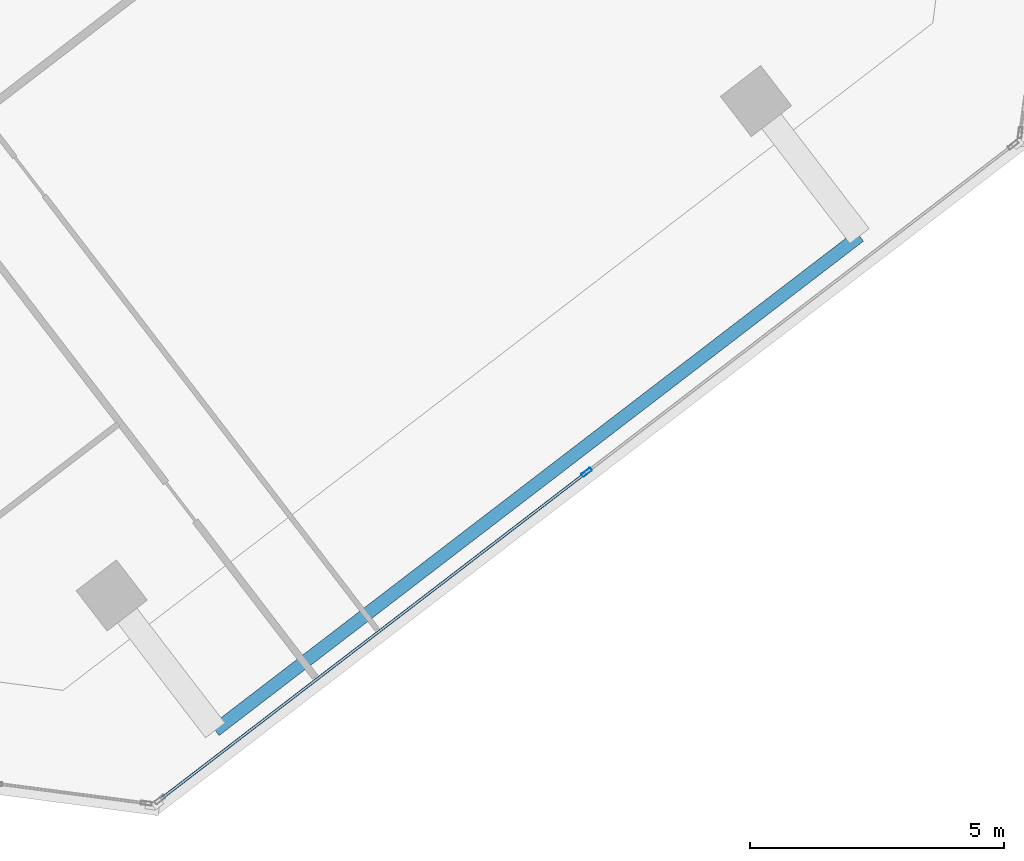
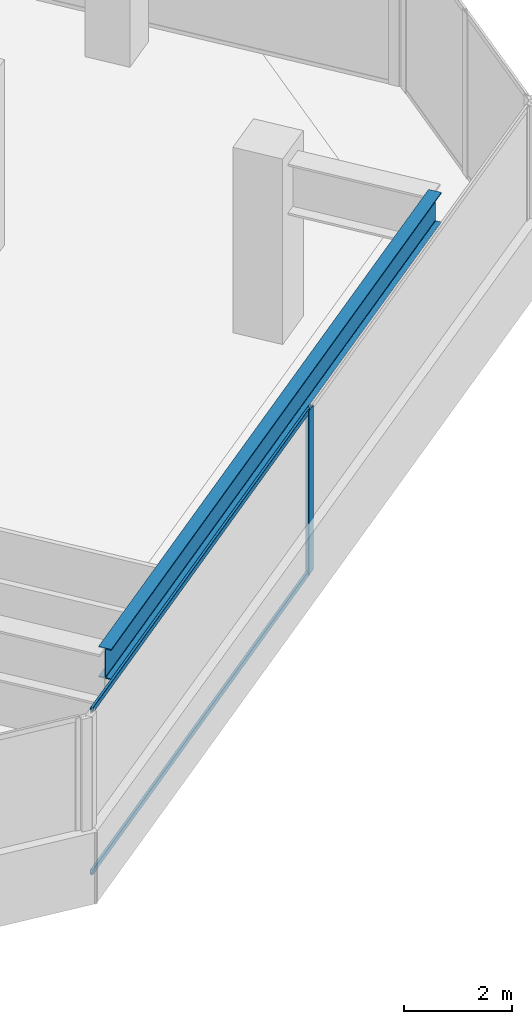
# One storey, part 5 of 17: 3 members, 1 beam, 1 element without a shape of its own.
"""IFC4 building model written with IfcOpenShell, lengths in metres."""

import ifcopenshell
import ifcopenshell.guid

model = None  # the IFC model being written
_history = None  # IfcOwnerHistory: only IFC2X3 demands one
_inside = {}  # id of a spatial element -> (the spatial element, [elements in it])
_under = {}  # id of a project, library or spatial element -> (it, [spatial elements below it])
_declared = {}  # id of a project -> (the project, [libraries it declares])
_typed = {}  # id of a type object -> (the type object, [elements of that type])
_made_of = {}  # id of a material, layer set ... -> (it, [elements and type objects made of it])


def new_model(schema):
    """Start an empty IFC model of exactly this schema.

    Asked for "IFC4X3", IfcOpenShell would pick the latest addendum, in which some entities
    have other attributes; the version numbers below select the first issue.
    IFC2X3 requires an IfcOwnerHistory on every rooted entity: one is made here for all.
    """
    global model, _history
    if schema == "IFC4X3":
        model = ifcopenshell.file(schema_version=(4, 3, 0, 0))
    else:
        model = ifcopenshell.file(schema=schema)
    _inside.clear()
    _under.clear()
    _declared.clear()
    _typed.clear()
    _made_of.clear()
    _history = None
    if model.schema == "IFC2X3":
        org = make("IfcOrganization", Name="unknown")
        user = make(
            "IfcPersonAndOrganization",
            ThePerson=make("IfcPerson", FamilyName="unknown"),
            TheOrganization=org,
        )
        app = make(
            "IfcApplication",
            ApplicationDeveloper=org,
            Version="unknown",
            ApplicationFullName="unknown",
            ApplicationIdentifier="unknown",
        )
        _history = make(
            "IfcOwnerHistory",
            OwningUser=user,
            OwningApplication=app,
            ChangeAction="ADDED",
            CreationDate=0,
        )
    return model


def make(cls, **values):
    """One entity of the class cls with the attributes given. An attribute that is None is left unset."""
    return model.create_entity(
        cls, **{name: value for name, value in values.items() if value is not None}
    )


def rooted(cls, **values):
    """An entity with a GlobalId (a new one), such as an element, a storey or a relation."""
    return make(cls, GlobalId=ifcopenshell.guid.new(), OwnerHistory=_history, **values)


def si_unit(unit_type, name, prefix=None):
    """IfcSIUnit, for example si_unit("LENGTHUNIT", "METRE", prefix="MILLI")."""
    return make("IfcSIUnit", UnitType=unit_type, Prefix=prefix, Name=name)


def assignment(units):
    """IfcUnitAssignment: the units of a project."""
    return None if units is None else make("IfcUnitAssignment", Units=units)


def point(xyz):
    """IfcCartesianPoint."""
    return None if xyz is None else make("IfcCartesianPoint", Coordinates=xyz)


def direction(xyz):
    """IfcDirection."""
    return None if xyz is None else make("IfcDirection", DirectionRatios=xyz)


def frame(location, z_axis=None, x_axis=None):
    """IfcAxis2Placement3D, a coordinate frame: its origin and axes. An axis left out is left unset."""
    return make(
        "IfcAxis2Placement3D",
        Location=point(location),
        Axis=direction(z_axis),
        RefDirection=direction(x_axis),
    )


def frame_2d(location, x_axis=None):
    """IfcAxis2Placement2D, a coordinate frame in the plane: its origin and x axis."""
    return make(
        "IfcAxis2Placement2D", Location=point(location), RefDirection=direction(x_axis)
    )


def origin():
    """The frame at (0, 0, 0) with its axes left unset."""
    return frame((0.0, 0.0, 0.0))


def origin_2d():
    """The frame at (0, 0) in the plane with its x axis left unset."""
    return frame_2d((0.0, 0.0))


def place(relative_to, where):
    """IfcLocalPlacement: puts the frame where relative to a parent placement (None: the world)."""
    return make(
        "IfcLocalPlacement", PlacementRelTo=relative_to, RelativePlacement=where
    )


def context(
    kind, dimensions, precision=None, world=None, true_north=None, identifier=None
):
    """IfcGeometricRepresentationContext, for example the 3D "Model" context."""
    return make(
        "IfcGeometricRepresentationContext",
        ContextIdentifier=identifier,
        ContextType=kind,
        CoordinateSpaceDimension=dimensions,
        Precision=precision,
        WorldCoordinateSystem=world,
        TrueNorth=true_north,
    )


def subcontext(parent, identifier, kind, view, scale=None):
    """IfcGeometricRepresentationSubContext, for example "Body" below "Model"."""
    return make(
        "IfcGeometricRepresentationSubContext",
        ContextIdentifier=identifier,
        ContextType=kind,
        ParentContext=parent,
        TargetScale=scale,
        TargetView=view,
    )


def project(units=None, contexts=None):
    """IfcProject with its units and contexts."""
    return rooted(
        "IfcProject",
        Name="project",
        RepresentationContexts=contexts,
        UnitsInContext=assignment(units),
    )


def spatial(cls, under=None, at=None, **own):
    """A site, building, storey or space (cls), placed at a placement, below another one or the project."""
    s = rooted(cls, ObjectPlacement=at, **own)
    if under is not None:
        _under.setdefault(under.id(), (under, []))[1].append(s)
    return s


def profile(cls, at=None, kind="AREA", **sizes):
    """A parametric profile (cls). Its sizes go by their IFC names, for example OverallWidth=200.0."""
    return make(cls, ProfileType=kind, Position=at, **sizes)


def hollow_rectangle(**sizes):
    """IfcRectangleHollowProfileDef."""
    return profile("IfcRectangleHollowProfileDef", **sizes)


def i_section(**sizes):
    """IfcIShapeProfileDef."""
    return profile("IfcIShapeProfileDef", **sizes)


def extrude(swept, where, along, depth):
    """IfcExtrudedAreaSolid: the profile swept, set in the frame where, extruded along a direction by depth."""
    return make(
        "IfcExtrudedAreaSolid",
        SweptArea=swept,
        Position=where,
        ExtrudedDirection=direction(along),
        Depth=depth,
    )


def shape(context_of_items, identifier, shape_type, items):
    """IfcShapeRepresentation: the items that make up one representation, for example the "Body"."""
    return make(
        "IfcShapeRepresentation",
        ContextOfItems=context_of_items,
        RepresentationIdentifier=identifier,
        RepresentationType=shape_type,
        Items=items,
    )


def source(mapping_origin, context_of_items, identifier, shape_type, items):
    """IfcRepresentationMap: a shape defined once, which mapped items show again and again."""
    return make(
        "IfcRepresentationMap",
        MappingOrigin=mapping_origin,
        MappedRepresentation=shape(context_of_items, identifier, shape_type, items),
    )


def transform(
    local_origin,
    x_axis=None,
    y_axis=None,
    z_axis=None,
    scale=None,
    scale2=None,
    scale3=None,
    uniform=True,
):
    """IfcCartesianTransformationOperator3D, or its non-uniform kind. x_axis, y_axis, z_axis: its Axis1, 2, 3."""
    if uniform:
        return make(
            "IfcCartesianTransformationOperator3D",
            Axis1=direction(x_axis),
            Axis2=direction(y_axis),
            LocalOrigin=point(local_origin),
            Scale=scale,
            Axis3=direction(z_axis),
        )
    return make(
        "IfcCartesianTransformationOperator3DnonUniform",
        Axis1=direction(x_axis),
        Axis2=direction(y_axis),
        LocalOrigin=point(local_origin),
        Scale=scale,
        Axis3=direction(z_axis),
        Scale2=scale2,
        Scale3=scale3,
    )


def mapped(mapping_source, mapping_target):
    """IfcMappedItem: shows the shape of a source again, moved by a transform."""
    return make(
        "IfcMappedItem", MappingSource=mapping_source, MappingTarget=mapping_target
    )


def material(Name=None, Category=None):
    """IfcMaterial."""
    return make("IfcMaterial", Name=Name, Category=Category)


def material_profile(
    of_material, cross_section, Name=None, Category=None, Priority=None
):
    """IfcMaterialProfile: a cross section and its material."""
    return make(
        "IfcMaterialProfile",
        Name=Name,
        Material=of_material,
        Profile=cross_section,
        Priority=Priority,
        Category=Category,
    )


def profile_set(profiles, Name=None, composite=None):
    """IfcMaterialProfileSet."""
    return make(
        "IfcMaterialProfileSet",
        Name=Name,
        MaterialProfiles=profiles,
        CompositeProfile=composite,
    )


def made_of(thing, what):
    """Note that an element or type object is made of a material, layer set ...; save() writes the relation."""
    if what is not None:
        _made_of.setdefault(what.id(), (what, []))[1].append(thing)
    return thing


def type_object(cls, material=None, **own):
    """A type object (cls), such as IfcWallType, which elements share."""
    return made_of(rooted(cls, **own), material)


def element(
    cls,
    number,
    at=None,
    inside=None,
    cuts=None,
    type_object=None,
    material=None,
    context=None,
    identifier="Body",
    shape_type=None,
    held_by="IfcProductDefinitionShape",
    body=None,
    shapes=None,
    **own,
):
    """One element of the class cls, such as IfcWall. Its Tag is "e" and its number.

    at: its placement. inside: the storey or other place that contains it. cuts: it is an
    opening in that element (IfcRelVoidsElement). A single representation is given by context,
    identifier, shape_type and body (its items); several are given by shapes. held_by: the class
    of the entity that holds the representations. save() writes the other relations.
    """
    e = rooted(cls, Tag="e%d" % number, ObjectPlacement=at, **own)
    if body is not None:
        shapes = [shape(context, identifier, shape_type, body)]
    if shapes is not None:
        e.Representation = make(held_by, Representations=shapes)
    if inside is not None:
        _inside.setdefault(inside.id(), (inside, []))[1].append(e)
    if cuts is not None:
        rooted(
            "IfcRelVoidsElement", RelatingBuildingElement=cuts, RelatedOpeningElement=e
        )
    if type_object is not None:
        _typed.setdefault(type_object.id(), (type_object, []))[1].append(e)
    return made_of(e, material)


def aggregate(whole, parts):
    """IfcRelAggregates: a whole, such as a stair, and the parts it consists of."""
    return rooted("IfcRelAggregates", RelatingObject=whole, RelatedObjects=parts)


def save(model, path):
    """Write the relations noted so far, then the file.

    IfcRelAggregates (storeys below a building ...), IfcRelContainedInSpatialStructure (elements
    in a storey), IfcRelDefinesByType, IfcRelAssociatesMaterial and IfcRelDeclares: one each for
    every whole, place, type object, material and project.
    """
    for whole, parts in _under.values():
        aggregate(whole, parts)
    for where, things in _inside.values():
        rooted(
            "IfcRelContainedInSpatialStructure",
            RelatedElements=things,
            RelatingStructure=where,
        )
    for kind, things in _typed.values():
        rooted("IfcRelDefinesByType", RelatedObjects=things, RelatingType=kind)
    for what, things in _made_of.values():
        rooted("IfcRelAssociatesMaterial", RelatedObjects=things, RelatingMaterial=what)
    for by, libraries in _declared.values():
        rooted("IfcRelDeclares", RelatingContext=by, RelatedDefinitions=libraries)
    model.write(path)


model = new_model("IFC4")

# Units and contexts
model_context = context("Model", 3, precision=1e-05, world=origin(), true_north=direction((0.0, 1.0)))
body_context = subcontext(model_context, "Body", "Model", "MODEL_VIEW")
ifc_project = project(units=[si_unit("LENGTHUNIT", "METRE"), si_unit("AREAUNIT", "SQUARE_METRE"), si_unit("VOLUMEUNIT", "CUBIC_METRE"), si_unit("PLANEANGLEUNIT", "RADIAN"), si_unit("MASSUNIT", "GRAM", prefix="KILO")], contexts=[model_context])

# Site, building, storey
site_placement = place(None, origin())
site = spatial("IfcSite", under=ifc_project, at=site_placement, CompositionType="ELEMENT")
building_placement = place(site_placement, origin())
building = spatial("IfcBuilding", under=site, at=building_placement, Name="Torre Montelarca", CompositionType="ELEMENT")
storey_placement = place(building_placement, frame((0.0, 0.0, 283.60009765625)))
storey = spatial("IfcBuildingStorey", under=building, at=storey_placement, Name="L64", CompositionType="ELEMENT", Elevation=283.60009765625)

# Beam
ifc_material_1 = material(Name="Steel ASTM A992 Grade 50", Category="steel")
ifc_material_profile_1 = material_profile(ifc_material_1, i_section(OverallWidth=0.256103515625, OverallDepth=0.693115234375, WebThickness=0.014404296875, FlangeThickness=0.023681640625, FilletRadius=0.01806640625, at=origin_2d()), Name="W690X170", Category="steel")
ifc_profile_set_1 = profile_set([ifc_material_profile_1], Name="Steel ASTM A992 Grade 50")
beam_type = type_object("IfcBeamType", Name="BM-G-W690-EXT", PredefinedType="BEAM", material=ifc_profile_set_1)
shared_shape_1 = source(origin(), body_context, "Body", "SweptSolid", [
    extrude(i_section(OverallWidth=0.256103515625, OverallDepth=0.693115234375, WebThickness=0.014404296875, FlangeThickness=0.023681640625, FilletRadius=0.01806640625, at=origin_2d()), origin(), (0.0, 0.0, 1.0), 15.999755859375),
])
beam_placement = place(storey_placement, frame((29.672119140625, 8.20849609375, 3.573974609375), z_axis=(0.793357998427, 0.60875535836, 0.0), x_axis=(-0.60875535836, 0.793357998427, 0.0)))
element("IfcBeam", 1, at=beam_placement, inside=storey, type_object=beam_type, Name="L64 Sliding Tray Edge Girder East 24-40m (FLR)", PredefinedType="BEAM", context=body_context, shape_type="MappedRepresentation", body=[
    mapped(shared_shape_1, transform((0.0, 0.0, 0.0), scale=1.0)),
])

# Curtain wall, members
ifc_material_2 = material(Name="Insulated low-E laminated glass", Category="glass")
curtain_wall_type = type_object("IfcCurtainWallType", Name="CW-SYS-Z3", PredefinedType="USERDEFINED", material=ifc_material_2)
curtain_wall_placement = place(storey_placement, origin())
curtain_wall = element("IfcCurtainWall", 2, at=curtain_wall_placement, inside=storey, type_object=curtain_wall_type, Name="L64 Curtain Wall Run CW-T3-L64-E06-B1", ObjectType="UNITISED GLAZING", PredefinedType="USERDEFINED")
ifc_material_3 = material(Name="Anodised aluminium AA 6063-T6", Category="aluminium")
ifc_material_profile_2 = material_profile(ifc_material_3, hollow_rectangle(XDim=0.074951171875, YDim=0.219970703125, WallThickness=0.0048828125, InnerFilletRadius=0.0048828125, OuterFilletRadius=0.010009765625, at=origin_2d()), Name="ALU75X220X5", Category="aluminium")
ifc_profile_set_2 = profile_set([ifc_material_profile_2], Name="Anodised aluminium AA 6063-T6")
member_type_1 = type_object("IfcMemberType", Name="CWM-ALU220", PredefinedType="MULLION", material=ifc_profile_set_2)
shared_shape_2 = source(origin(), body_context, "Body", "SweptSolid", [
    extrude(hollow_rectangle(XDim=0.074951171875, YDim=0.219970703125, WallThickness=0.0048828125, InnerFilletRadius=0.0048828125, OuterFilletRadius=0.010009765625, at=origin_2d()), origin(), (0.0, 0.0, 1.0), 3.719970703125),
])
member_1_placement = place(storey_placement, frame((36.98876953125, 13.293212890625, 0.0), z_axis=(0.0, 0.0, 1.0), x_axis=(-0.608763250019, 0.793351942978, 0.0)))
member_1 = element("IfcMember", 3, at=member_1_placement, type_object=member_type_1, Name="CW mullion 2", PredefinedType="MULLION", context=body_context, shape_type="MappedRepresentation", body=[
    mapped(shared_shape_2, transform((0.0, 0.0, 0.0), scale=1.0)),
])
ifc_material_profile_3 = material_profile(ifc_material_3, hollow_rectangle(XDim=0.054931640625, YDim=0.1201171875, WallThickness=0.00341796875, InnerFilletRadius=0.00341796875, OuterFilletRadius=0.007080078125, at=origin_2d()), Name="ALU55X120X3.5", Category="aluminium")
ifc_profile_set_3 = profile_set([ifc_material_profile_3], Name="Anodised aluminium AA 6063-T6")
member_type_2 = type_object("IfcMemberType", Name="CWT-ALU120", PredefinedType="USERDEFINED", material=ifc_profile_set_3)
shared_shape_3 = source(origin(), body_context, "Body", "SweptSolid", [
    extrude(hollow_rectangle(XDim=0.054931640625, YDim=0.1201171875, WallThickness=0.00341796875, InnerFilletRadius=0.00341796875, OuterFilletRadius=0.007080078125, at=origin_2d()), origin(), (0.0, 0.0, 1.0), 10.521484375),
])
member_2_placement = place(storey_placement, frame((28.611572265625, 6.865234375, 0.02734375), z_axis=(0.793360927594, 0.608751540915, 0.0), x_axis=(-0.608751540915, 0.793360927594, 0.0)))
member_2 = element("IfcMember", 4, at=member_2_placement, type_object=member_type_2, Name="CW transom 1.1", ObjectType="TRANSOM", PredefinedType="USERDEFINED", context=body_context, shape_type="MappedRepresentation", body=[
    mapped(shared_shape_3, transform((0.0, 0.0, 0.0), scale=1.0)),
])
member_3_placement = place(storey_placement, frame((28.611572265625, 6.865234375, 3.6923828125), z_axis=(0.793360927594, 0.608751540915, 0.0), x_axis=(-0.608751540915, 0.793360927594, 0.0)))
member_3 = element("IfcMember", 5, at=member_3_placement, type_object=member_type_2, Name="CW transom 1.2", ObjectType="TRANSOM", PredefinedType="USERDEFINED", context=body_context, shape_type="MappedRepresentation", body=[
    mapped(shared_shape_3, transform((0.0, 0.0, 0.0), scale=1.0)),
])
aggregate(curtain_wall, [member_1, member_2, member_3])

save(model, "model.ifc")
